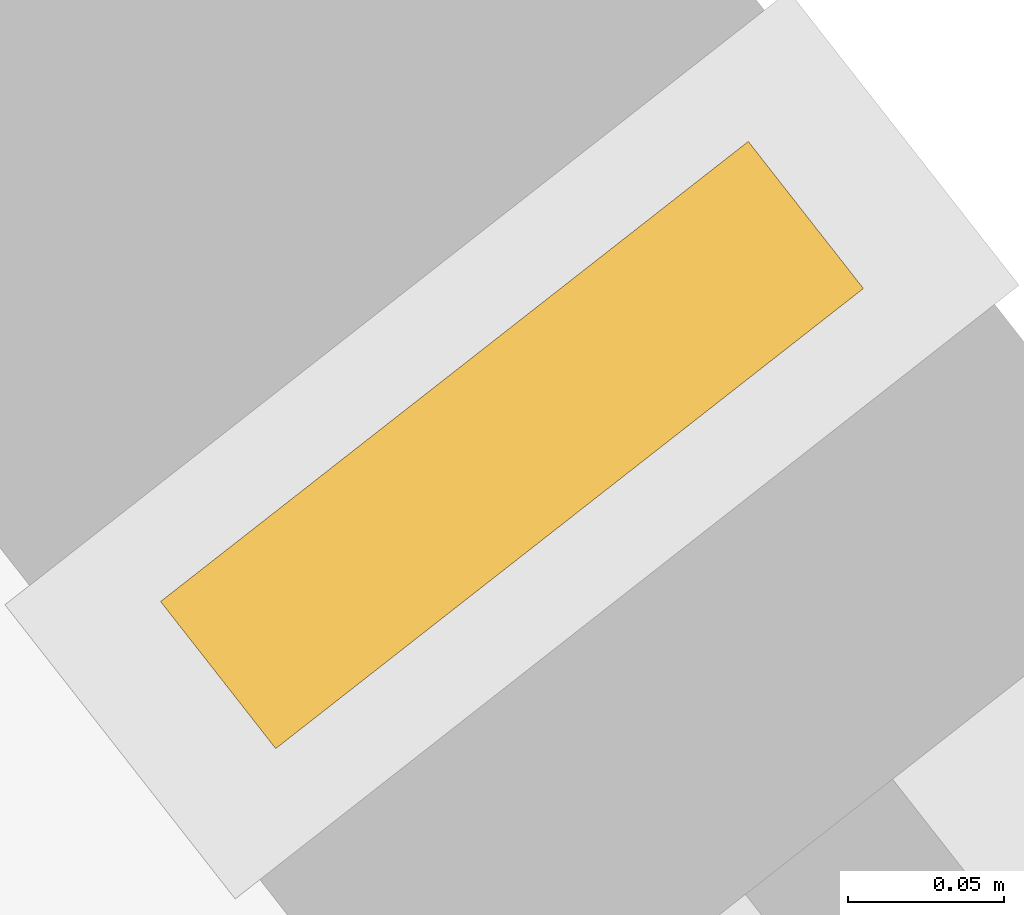
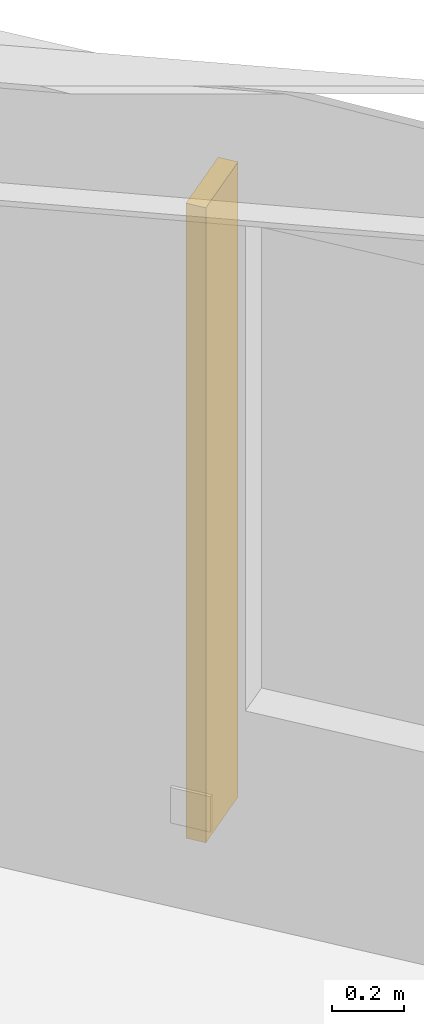
# One storey, part 11 of 11: 1 shading device.
"""IFC4 building model written with IfcOpenShell, lengths in metres."""

from ifc_helpers import new_model, si_unit, direction, frame, origin, origin_2d, place, context, subcontext, project, spatial, rectangle, extrude, material, type_object, element, save


model = new_model("IFC4")

# Units and contexts
model_context = context("Model", 3, precision=1e-05, world=origin(), true_north=direction((0.0, 1.0)))
body_context = subcontext(model_context, "Body", "Model", "MODEL_VIEW")
ifc_project = project(units=[si_unit("LENGTHUNIT", "METRE"), si_unit("AREAUNIT", "SQUARE_METRE"), si_unit("VOLUMEUNIT", "CUBIC_METRE"), si_unit("PLANEANGLEUNIT", "RADIAN"), si_unit("MASSUNIT", "GRAM", prefix="KILO")], contexts=[model_context])

# Site, building, storey
site_placement = place(None, origin())
site = spatial("IfcSite", under=ifc_project, at=site_placement, CompositionType="ELEMENT")
building_placement = place(site_placement, origin())
building = spatial("IfcBuilding", under=site, at=building_placement, Name="Kolvaren Gate Tower and Convention Centre", CompositionType="ELEMENT")
storey_placement = place(building_placement, frame((0.0, 0.0, 236.0)))
storey = spatial("IfcBuildingStorey", under=building, at=storey_placement, Name="L63", CompositionType="ELEMENT", Elevation=236.0)

# Shading device
ifc_material = material(Name="Kiln-Fired Bogota Terracotta Ceramic Louvre Profile", Category="masonry")
shading_device_type = type_object("IfcShadingDeviceType", Name="ARCH-SHD-FIN-180", PredefinedType="JALOUSIE", material=ifc_material)
shading_device_placement = place(storey_placement, frame((43.539306640625, 42.819580078125, 0.219970703125), z_axis=(0.0, 0.0, 1.0), x_axis=(0.616434119112, -0.787406487651, 0.0)))
element("IfcShadingDevice", 1, at=shading_device_placement, inside=storey, type_object=shading_device_type, Name="Ceramic Vertical Brise-Soleil Fin FN-L63-03", PredefinedType="JALOUSIE", context=body_context, shape_type="SweptSolid", body=[
    extrude(rectangle(XDim=0.06005859375, YDim=0.239990234375, at=origin_2d()), origin(), (0.0, 0.0, 1.0), 2.14990234375),
])

save(model, "model.ifc")
